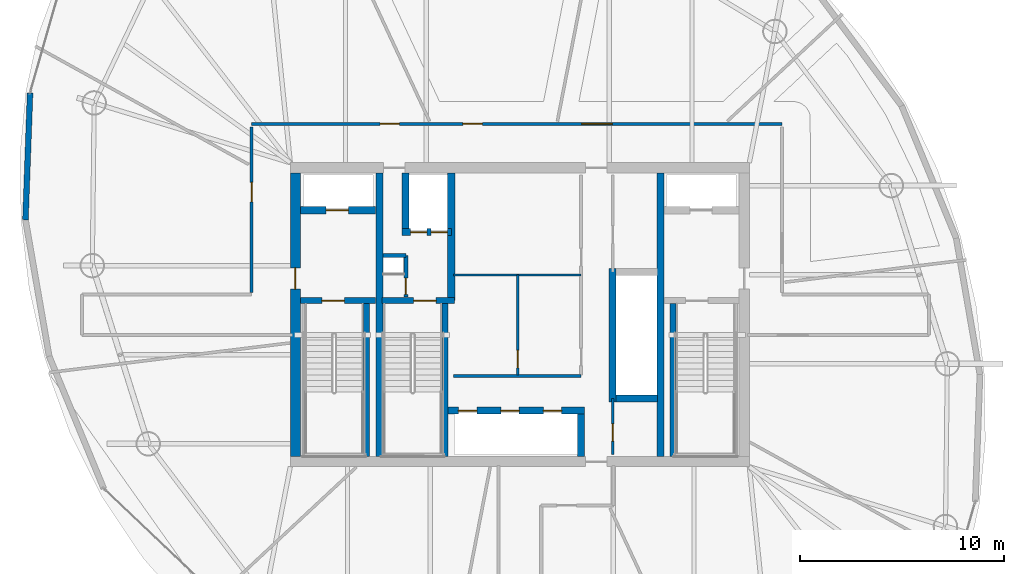
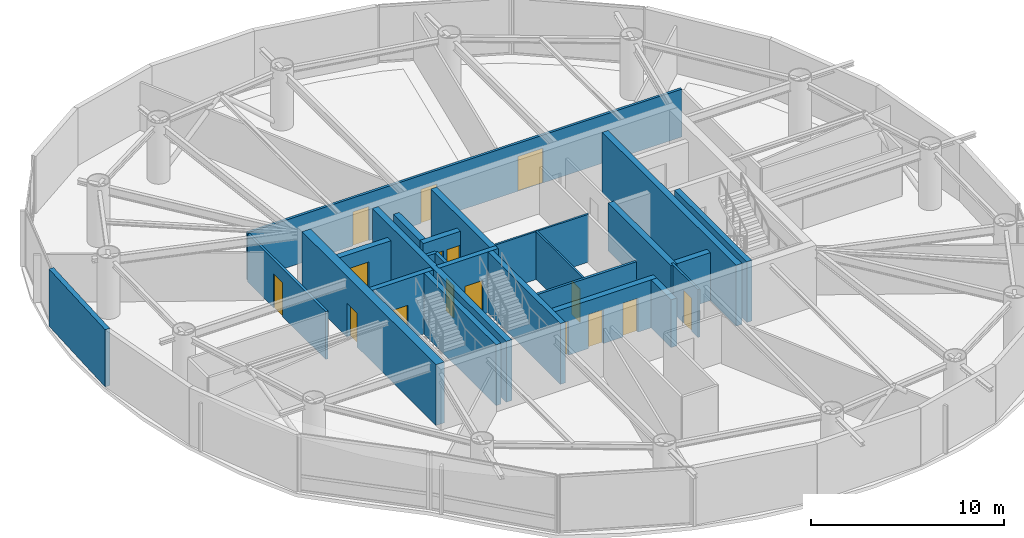
# One storey, part 16 of 22: 25 walls, 16 doors, 16 openings.
"""IFC4 building model written with IfcOpenShell, lengths in metres."""

from ifc_helpers import new_model, si_unit, direction, frame, frame_2d, origin, place, context, subcontext, project, spatial, rectangle, extrude, material, layer, layer_set, type_object, element, fill, save


model = new_model("IFC4")

# Units and contexts
model_context = context("Model", 3, precision=1e-05, world=origin(), true_north=direction((0.0, 1.0)))
body_context = subcontext(model_context, "Body", "Model", "MODEL_VIEW")
ifc_project = project(units=[si_unit("LENGTHUNIT", "METRE"), si_unit("AREAUNIT", "SQUARE_METRE"), si_unit("VOLUMEUNIT", "CUBIC_METRE"), si_unit("PLANEANGLEUNIT", "RADIAN"), si_unit("MASSUNIT", "GRAM", prefix="KILO")], contexts=[model_context])

# Site, building, storey
site_placement = place(None, origin())
site = spatial("IfcSite", under=ifc_project, at=site_placement, CompositionType="ELEMENT")
building_placement = place(site_placement, origin())
building = spatial("IfcBuilding", under=site, at=building_placement, Name="Bramvorn Convention Spire", CompositionType="ELEMENT")
storey_placement = place(building_placement, frame((0.0, 0.0, 213.550048828125)))
storey = spatial("IfcBuildingStorey", under=building, at=storey_placement, Name="L54", CompositionType="ELEMENT", Elevation=213.550048828125)

# Wall, opening, door
ifc_material_1 = material(Name="Concrete C50/60", Category="concrete")
ifc_layer_1 = layer(ifc_material_1, 0.5)
ifc_layer_set_1 = layer_set([ifc_layer_1], Name="Concrete C50/60 - WL-CORE-500")
wall_type_1 = type_object("IfcWallType", Name="WL-CORE-500", PredefinedType="SHEAR", material=ifc_layer_set_1)
wall_1_placement = place(storey_placement, frame((27.0, 19.050048828125, 0.0), z_axis=(0.0, 0.0, 1.0), x_axis=(0.0, 1.0, 0.0)))
wall_1 = element("IfcWall", 1, at=wall_1_placement, inside=storey, type_object=wall_type_1, Name="L54 West RC core shear wall", PredefinedType="SHEAR", context=body_context, shape_type="SweptSolid", body=[
    extrude(rectangle(XDim=13.89990234375, YDim=0.5, at=frame_2d((6.949951171875, 0.0))), origin(), (0.0, 0.0, 1.0), 3.849853515625),
])
opening_1_placement = place(wall_1_placement, frame((8.199951171875, 0.0, 0.0)))
opening_1 = element("IfcOpeningElement", 2, at=opening_1_placement, cuts=wall_1, Name="Opening DL-105", PredefinedType="OPENING", context=body_context, shape_type="SweptSolid", body=[
    extrude(rectangle(XDim=1.050048828125, YDim=2.14990234375, at=frame_2d((0.52490234375, 1.074951171875))), frame((0.0, 0.260009765625, 0.0), z_axis=(0.0, -1.0, 0.0), x_axis=(1.0, 0.0, 0.0)), (0.0, 0.0, 1.0), 0.52001953125),
])
ifc_material_2 = material(Name="Smoke-Sealed Fire Lobby Timber-Core Door", Category="wood")
door_type_1 = type_object("IfcDoorType", Name="DR-LOBBY-1050", OperationType="NOTDEFINED", PredefinedType="DOOR", material=ifc_material_2)
door_1_placement = place(opening_1_placement, origin())
door_1 = element("IfcDoor", 3, at=door_1_placement, inside=storey, type_object=door_type_1, Name="L54 West Firefighting Lobby corridor door", OperationType="SINGLE_SWING_RIGHT", OverallHeight=2.14990234375, OverallWidth=1.050048828125, PredefinedType="DOOR", context=body_context, shape_type="SweptSolid", body=[
    extrude(rectangle(XDim=1.050048828125, YDim=2.14990234375, at=frame_2d((0.52490234375, 1.074951171875))), frame((0.0, 0.02490234375, 0.0), z_axis=(0.0, -1.0, 0.0), x_axis=(1.0, 0.0, 0.0)), (0.0, 0.0, 1.0), 0.050048828125),
])
fill(opening_1, door_1)

# Walls
ifc_layer_2 = layer(ifc_material_1, 0.35009765625)
ifc_layer_set_2 = layer_set([ifc_layer_2], Name="Concrete C50/60 - WL-CORE-INT-350")
wall_type_2 = type_object("IfcWallType", Name="WL-CORE-INT-350", PredefinedType="SHEAR", material=ifc_layer_set_2)
for number, where, z_axis, x_axis, name in (
    (4, (31.1298828125, 19.050048828125, 0.0), (0.0, 0.0, 1.0), (0.0, 1.0, 0.0), "L54 West internal core shear web"),
    (5, (44.89990234375, 19.050048828125, 0.0), (0.0, 0.0, 1.0), (0.0, 1.0, 0.0), "L54 East internal core shear web"),
):
    element("IfcWall", number, at=place(storey_placement, frame(where, z_axis=z_axis, x_axis=x_axis)), inside=storey, type_object=wall_type_2, Name=name, PredefinedType="SHEAR", context=body_context, shape_type="SweptSolid", body=[
        extrude(rectangle(XDim=13.89990234375, YDim=0.35009765625, at=frame_2d((6.949951171875, 0.0))), origin(), (0.0, 0.0, 1.0), 3.849853515625),
    ])

# Wall, opening, door
wall_2_placement = place(storey_placement, frame((27.25, 31.1201171875, 0.0), z_axis=(0.0, 0.0, 1.0), x_axis=(1.0, 0.0, 0.0)))
wall_2 = element("IfcWall", 6, at=wall_2_placement, inside=storey, type_object=wall_type_2, Name="L54 FE1 shaft front wall", PredefinedType="SHEAR", context=body_context, shape_type="SweptSolid", body=[
    extrude(rectangle(XDim=3.669921875, YDim=0.35009765625, at=frame_2d((1.8349609375, 0.0))), origin(), (0.0, 0.0, 1.0), 3.034912109375),
])
opening_2_placement = place(wall_2_placement, frame((1.25, 0.0, 0.0)))
opening_2 = element("IfcOpeningElement", 7, at=opening_2_placement, cuts=wall_2, Name="Opening LD-110", PredefinedType="OPENING", context=body_context, shape_type="SweptSolid", body=[
    extrude(rectangle(XDim=1.10009765625, YDim=2.14990234375, at=frame_2d((0.550048828125, 1.074951171875))), frame((0.0, 0.18505859375, 0.0), z_axis=(0.0, -1.0, 0.0), x_axis=(1.0, 0.0, 0.0)), (0.0, 0.0, 1.0), 0.3701171875),
])
ifc_material_3 = material(Name="Firefighting & Service Lift Sliding Landing Door", Category="steel")
door_type_2 = type_object("IfcDoorType", Name="DR-LIFT-LD-1100", OperationType="NOTDEFINED", PredefinedType="DOOR", material=ifc_material_3)
door_2_placement = place(opening_2_placement, origin())
door_2 = element("IfcDoor", 8, at=door_2_placement, inside=storey, type_object=door_type_2, Name="L54 Lift FE1 Sliding Landing Door", OperationType="SLIDING_TO_LEFT", OverallHeight=2.14990234375, OverallWidth=1.10009765625, PredefinedType="DOOR", context=body_context, shape_type="SweptSolid", body=[
    extrude(rectangle(XDim=1.10009765625, YDim=2.14990234375, at=frame_2d((0.550048828125, 1.074951171875))), frame((0.0, 0.02490234375, 0.0), z_axis=(0.0, -1.0, 0.0), x_axis=(1.0, 0.0, 0.0)), (0.0, 0.0, 1.0), 0.050048828125),
])
fill(opening_2, door_2)

# Wall
wall_3_placement = place(storey_placement, frame((34.639892578125, 26.68994140625, 0.0), z_axis=(0.0, 0.0, 1.0), x_axis=(0.0, 1.0, 0.0)))
element("IfcWall", 9, at=wall_3_placement, inside=storey, type_object=wall_type_2, Name="L54 SV east core shaft wall", PredefinedType="SHEAR", context=body_context, shape_type="SweptSolid", body=[
    extrude(rectangle(XDim=6.260009765625, YDim=0.35009765625, at=frame_2d((3.1298828125, 0.0))), origin(), (0.0, 0.0, 1.0), 3.849853515625),
])

# Wall, openings, doors
wall_4_placement = place(storey_placement, frame((32.22998046875, 30.050048828125, 0.0), z_axis=(0.0, 0.0, 1.0), x_axis=(1.0, 0.0, 0.0)))
wall_4 = element("IfcWall", 10, at=wall_4_placement, inside=storey, type_object=wall_type_2, Name="L54 SV1/SV2 shaft front wall", PredefinedType="SHEAR", context=body_context, shape_type="SweptSolid", body=[
    extrude(rectangle(XDim=2.409912109375, YDim=0.35009765625, at=frame_2d((1.205078125, 0.0))), origin(), (0.0, 0.0, 1.0), 3.034912109375),
])
opening_3_placement = place(wall_4_placement, frame((0.419921875, 0.0, 0.0)))
opening_3 = element("IfcOpeningElement", 11, at=opening_3_placement, cuts=wall_4, Name="Opening LD-080", PredefinedType="OPENING", context=body_context, shape_type="SweptSolid", body=[
    extrude(rectangle(XDim=0.800048828125, YDim=2.14990234375, at=frame_2d((0.39990234375, 1.074951171875))), frame((0.0, 0.18505859375, 0.0), z_axis=(0.0, -1.0, 0.0), x_axis=(1.0, 0.0, 0.0)), (0.0, 0.0, 1.0), 0.3701171875),
])
opening_4_placement = place(wall_4_placement, frame((1.419921875, 0.0, 0.0)))
opening_4 = element("IfcOpeningElement", 12, at=opening_4_placement, cuts=wall_4, Name="Opening LD-080", PredefinedType="OPENING", context=body_context, shape_type="SweptSolid", body=[
    extrude(rectangle(XDim=0.800048828125, YDim=2.14990234375, at=frame_2d((0.39990234375, 1.074951171875))), frame((0.0, 0.18505859375, 0.0), z_axis=(0.0, -1.0, 0.0), x_axis=(1.0, 0.0, 0.0)), (0.0, 0.0, 1.0), 0.3701171875),
])
ifc_material_4 = material(Name="Service Lift Bi-Parting Landing Door", Category="steel")
door_type_3 = type_object("IfcDoorType", Name="DR-LIFT-LD-800", OperationType="NOTDEFINED", PredefinedType="DOOR", material=ifc_material_4)
door_3_placement = place(opening_3_placement, origin())
door_3 = element("IfcDoor", 13, at=door_3_placement, inside=storey, type_object=door_type_3, Name="L54 Lift SV1 Sliding Landing Door", OperationType="SLIDING_TO_LEFT", OverallHeight=2.14990234375, OverallWidth=0.800048828125, PredefinedType="DOOR", context=body_context, shape_type="SweptSolid", body=[
    extrude(rectangle(XDim=0.800048828125, YDim=2.14990234375, at=frame_2d((0.39990234375, 1.074951171875))), frame((0.0, 0.02490234375, 0.0), z_axis=(0.0, -1.0, 0.0), x_axis=(1.0, 0.0, 0.0)), (0.0, 0.0, 1.0), 0.050048828125),
])
fill(opening_3, door_3)
door_4_placement = place(opening_4_placement, origin())
door_4 = element("IfcDoor", 14, at=door_4_placement, inside=storey, type_object=door_type_3, Name="L54 Lift SV2 Sliding Landing Door", OperationType="SLIDING_TO_LEFT", OverallHeight=2.14990234375, OverallWidth=0.800048828125, PredefinedType="DOOR", context=body_context, shape_type="SweptSolid", body=[
    extrude(rectangle(XDim=0.800048828125, YDim=2.14990234375, at=frame_2d((0.39990234375, 1.074951171875))), frame((0.0, 0.02490234375, 0.0), z_axis=(0.0, -1.0, 0.0), x_axis=(1.0, 0.0, 0.0)), (0.0, 0.0, 1.0), 0.050048828125),
])
fill(opening_4, door_4)

# Walls
wall_5_placement = place(storey_placement, frame((32.39990234375, 30.219970703125, 0.0), z_axis=(0.0, 0.0, 1.0), x_axis=(0.0, 1.0, 0.0)))
element("IfcWall", 15, at=wall_5_placement, inside=storey, type_object=wall_type_2, Name="L54 SV1 west hoistway wall", PredefinedType="SHEAR", context=body_context, shape_type="SweptSolid", body=[
    extrude(rectangle(XDim=2.72998046875, YDim=0.35009765625, at=frame_2d((1.364990234375, 0.0))), origin(), (0.0, 0.0, 1.0), 3.034912109375),
])
wall_6_placement = place(storey_placement, frame((42.550048828125, 21.72998046875, 0.0), z_axis=(0.0, 0.0, 1.0), x_axis=(0.0, 1.0, 0.0)))
element("IfcWall", 16, at=wall_6_placement, inside=storey, type_object=wall_type_2, Name="L54 High-rise lift bank west wall", PredefinedType="SHEAR", context=body_context, shape_type="SweptSolid", body=[
    extrude(rectangle(XDim=6.5400390625, YDim=0.35009765625, at=frame_2d((3.27001953125, 0.0))), origin(), (0.0, 0.0, 1.0), 3.034912109375),
])
wall_7_placement = place(storey_placement, frame((42.719970703125, 21.89990234375, 0.0), z_axis=(0.0, 0.0, 1.0), x_axis=(1.0, 0.0, 0.0)))
element("IfcWall", 17, at=wall_7_placement, inside=storey, type_object=wall_type_2, Name="L54 High-rise lift bank south wall", PredefinedType="SHEAR", context=body_context, shape_type="SweptSolid", body=[
    extrude(rectangle(XDim=2.030029296875, YDim=0.35009765625, at=frame_2d((1.01513671875, 0.0))), origin(), (0.0, 0.0, 1.0), 3.034912109375),
])

# Wall, openings, doors
wall_8_placement = place(storey_placement, frame((34.489990234375, 21.300048828125, 0.0), z_axis=(0.0, 0.0, 1.0), x_axis=(1.0, 0.0, 0.0)))
wall_8 = element("IfcWall", 18, at=wall_8_placement, inside=storey, type_object=wall_type_2, Name="L54 Mid-rise bank north landing wall", PredefinedType="SHEAR", context=body_context, shape_type="SweptSolid", body=[
    extrude(rectangle(XDim=6.679931640625, YDim=0.35009765625, at=frame_2d((3.33984375, 0.0))), origin(), (0.0, 0.0, 1.0), 3.034912109375),
])
opening_5_placement = place(wall_8_placement, frame((0.5, 0.0, 0.0)))
opening_5 = element("IfcOpeningElement", 19, at=opening_5_placement, cuts=wall_8, Name="Opening LD-090", PredefinedType="OPENING", context=body_context, shape_type="SweptSolid", body=[
    extrude(rectangle(XDim=0.89990234375, YDim=2.14990234375, at=frame_2d((0.449951171875, 1.074951171875))), frame((0.0, 0.18505859375, 0.0), z_axis=(0.0, -1.0, 0.0), x_axis=(1.0, 0.0, 0.0)), (0.0, 0.0, 1.0), 0.3701171875),
])
opening_6_placement = place(wall_8_placement, frame((2.580078125, 0.0, 0.0)))
opening_6 = element("IfcOpeningElement", 20, at=opening_6_placement, cuts=wall_8, Name="Opening LD-090", PredefinedType="OPENING", context=body_context, shape_type="SweptSolid", body=[
    extrude(rectangle(XDim=0.89990234375, YDim=2.14990234375, at=frame_2d((0.449951171875, 1.074951171875))), frame((0.0, 0.18505859375, 0.0), z_axis=(0.0, -1.0, 0.0), x_axis=(1.0, 0.0, 0.0)), (0.0, 0.0, 1.0), 0.3701171875),
])
opening_7_placement = place(wall_8_placement, frame((4.659912109375, 0.0, 0.0)))
opening_7 = element("IfcOpeningElement", 21, at=opening_7_placement, cuts=wall_8, Name="Opening LD-090", PredefinedType="OPENING", context=body_context, shape_type="SweptSolid", body=[
    extrude(rectangle(XDim=0.89990234375, YDim=2.14990234375, at=frame_2d((0.449951171875, 1.074951171875))), frame((0.0, 0.18505859375, 0.0), z_axis=(0.0, -1.0, 0.0), x_axis=(1.0, 0.0, 0.0)), (0.0, 0.0, 1.0), 0.3701171875),
])
ifc_material_5 = material(Name="Bi-Parting Fire-Rated Lift Landing Door", Category="steel")
door_type_4 = type_object("IfcDoorType", Name="DR-LIFT-LD-900", OperationType="NOTDEFINED", PredefinedType="DOOR", material=ifc_material_5)
door_5_placement = place(opening_5_placement, origin())
door_5 = element("IfcDoor", 22, at=door_5_placement, inside=storey, type_object=door_type_4, Name="L54 Lift PM1 Sliding Landing Door", OperationType="SLIDING_TO_LEFT", OverallHeight=2.14990234375, OverallWidth=0.89990234375, PredefinedType="DOOR", context=body_context, shape_type="SweptSolid", body=[
    extrude(rectangle(XDim=0.89990234375, YDim=2.14990234375, at=frame_2d((0.449951171875, 1.074951171875))), frame((0.0, 0.02490234375, 0.0), z_axis=(0.0, -1.0, 0.0), x_axis=(1.0, 0.0, 0.0)), (0.0, 0.0, 1.0), 0.050048828125),
])
fill(opening_5, door_5)
door_6_placement = place(opening_6_placement, origin())
door_6 = element("IfcDoor", 23, at=door_6_placement, inside=storey, type_object=door_type_4, Name="L54 Lift PM2 Sliding Landing Door", OperationType="SLIDING_TO_LEFT", OverallHeight=2.14990234375, OverallWidth=0.89990234375, PredefinedType="DOOR", context=body_context, shape_type="SweptSolid", body=[
    extrude(rectangle(XDim=0.89990234375, YDim=2.14990234375, at=frame_2d((0.449951171875, 1.074951171875))), frame((0.0, 0.02490234375, 0.0), z_axis=(0.0, -1.0, 0.0), x_axis=(1.0, 0.0, 0.0)), (0.0, 0.0, 1.0), 0.050048828125),
])
fill(opening_6, door_6)
door_7_placement = place(opening_7_placement, origin())
door_7 = element("IfcDoor", 24, at=door_7_placement, inside=storey, type_object=door_type_4, Name="L54 Lift PM3 Sliding Landing Door", OperationType="SLIDING_TO_LEFT", OverallHeight=2.14990234375, OverallWidth=0.89990234375, PredefinedType="DOOR", context=body_context, shape_type="SweptSolid", body=[
    extrude(rectangle(XDim=0.89990234375, YDim=2.14990234375, at=frame_2d((0.449951171875, 1.074951171875))), frame((0.0, 0.02490234375, 0.0), z_axis=(0.0, -1.0, 0.0), x_axis=(1.0, 0.0, 0.0)), (0.0, 0.0, 1.0), 0.050048828125),
])
fill(opening_7, door_7)

# Walls
wall_9_placement = place(storey_placement, frame((41.0, 19.050048828125, 0.0), z_axis=(0.0, 0.0, 1.0), x_axis=(0.0, 1.0, 0.0)))
element("IfcWall", 25, at=wall_9_placement, inside=storey, type_object=wall_type_2, Name="L54 Mid-rise bank east cheek wall", PredefinedType="SHEAR", context=body_context, shape_type="SweptSolid", body=[
    extrude(rectangle(XDim=2.079833984375, YDim=0.35009765625, at=frame_2d((1.0400390625, 0.0))), origin(), (0.0, 0.0, 1.0), 3.034912109375),
])
ifc_material_6 = material(Name="Precast Concrete C40/50 with Bronze Terracotta Rainscreen", Category="masonry")
ifc_layer_3 = layer(ifc_material_6, 0.300048828125)
ifc_layer_set_3 = layer_set([ifc_layer_3], Name="Precast Concrete C40/50 with Bronze Terracotta Rainscreen - WL-EXT-BRONZE-300")
wall_type_3 = type_object("IfcWallType", Name="WL-EXT-BRONZE-300", PredefinedType="SOLIDWALL", material=ifc_layer_set_3)
wall_10_placement = place(storey_placement, frame((13.768798828125, 30.652587890625, 0.0), z_axis=(0.0, 0.0, 1.0), x_axis=(0.036270554674, 0.999342006954, 0.0)))
element("IfcWall", 26, at=wall_10_placement, inside=storey, type_object=wall_type_3, Name="L54 expressed bronze Gothic lancet pier wall 15", PredefinedType="SOLIDWALL", context=body_context, shape_type="SweptSolid", body=[
    extrude(rectangle(XDim=6.226318359375, YDim=0.280029296875, at=frame_2d((3.11328125, 0.0))), origin(), (0.0, 0.0, 1.0), 3.619873046875),
])
ifc_material_7 = material(Name="Lightweight En-Suite & Wet-Wall Partition", Category="gypsum")
ifc_layer_4 = layer(ifc_material_7, 0.110107421875)
ifc_layer_set_4 = layer_set([ifc_layer_4], Name="Lightweight En-Suite & Wet-Wall Partition - WL-PART-110")
wall_type_4 = type_object("IfcWallType", Name="WL-PART-110", PredefinedType="PARTITIONING", material=ifc_layer_set_4)
wall_11_placement = place(storey_placement, frame((34.75, 27.949951171875, 0.0), z_axis=(0.0, 0.0, 1.0), x_axis=(1.0, 0.0, 0.0)))
element("IfcWall", 27, at=wall_11_placement, inside=storey, type_object=wall_type_4, Name="L54 KA horizontal core divider", PredefinedType="PARTITIONING", context=body_context, shape_type="SweptSolid", body=[
    extrude(rectangle(XDim=6.25, YDim=0.110107421875, at=frame_2d((3.125, 0.0))), origin(), (0.0, 0.0, 1.0), 3.034912109375),
])

# Wall, opening, door
wall_12_placement = place(storey_placement, frame((37.89990234375, 23.050048828125, 0.0), z_axis=(0.0, 0.0, 1.0), x_axis=(0.0, 1.0, 0.0)))
wall_12 = element("IfcWall", 28, at=wall_12_placement, inside=storey, type_object=wall_type_4, Name="L54 KA restroom subwall", PredefinedType="PARTITIONING", context=body_context, shape_type="SweptSolid", body=[
    extrude(rectangle(XDim=4.89990234375, YDim=0.110107421875, at=frame_2d((2.449951171875, 0.0))), origin(), (0.0, 0.0, 1.0), 3.034912109375),
])
opening_8_placement = place(wall_12_placement, frame((0.35009765625, 0.0, 0.0)))
opening_8 = element("IfcOpeningElement", 29, at=opening_8_placement, cuts=wall_12, Name="Opening DC-085", PredefinedType="OPENING", context=body_context, shape_type="SweptSolid", body=[
    extrude(rectangle(XDim=0.85009765625, YDim=2.10009765625, at=frame_2d((0.425048828125, 1.050048828125))), frame((0.0, 0.06494140625, 0.0), z_axis=(0.0, -1.0, 0.0), x_axis=(1.0, 0.0, 0.0)), (0.0, 0.0, 1.0), 0.130126953125),
])
ifc_material_8 = material(Name="Fire-Rated Core Washroom & IDF Door", Category="wood")
door_type_5 = type_object("IfcDoorType", Name="DR-CORE-850", OperationType="NOTDEFINED", PredefinedType="DOOR", material=ifc_material_8)
door_8_placement = place(opening_8_placement, origin())
door_8 = element("IfcDoor", 30, at=door_8_placement, inside=storey, type_object=door_type_5, Name="L54 Core IT Closet door", OperationType="SINGLE_SWING_LEFT", OverallHeight=2.10009765625, OverallWidth=0.85009765625, PredefinedType="DOOR", context=body_context, shape_type="SweptSolid", body=[
    extrude(rectangle(XDim=0.85009765625, YDim=2.10009765625, at=frame_2d((0.425048828125, 1.050048828125))), frame((0.0, 0.02490234375, 0.0), z_axis=(0.0, -1.0, 0.0), x_axis=(1.0, 0.0, 0.0)), (0.0, 0.0, 1.0), 0.050048828125),
])
fill(opening_8, door_8)

ifc_material_9 = material(Name="Metal-Stud Demountable Office Partition", Category="gypsum")
ifc_layer_5 = layer(ifc_material_9, 0.1298828125)
ifc_layer_set_5 = layer_set([ifc_layer_5], Name="Metal-Stud Demountable Office Partition - WL-PART-130")
wall_type_5 = type_object("IfcWallType", Name="WL-PART-130", PredefinedType="PARTITIONING", material=ifc_layer_set_5)
wall_13_placement = place(storey_placement, frame((42.550048828125, 19.14990234375, 0.0), z_axis=(0.0, 0.0, 1.0), x_axis=(0.0, 1.0, 0.0)))
wall_13 = element("IfcWall", 31, at=wall_13_placement, inside=storey, type_object=wall_type_5, Name="L54 KA SE store wall", PredefinedType="PARTITIONING", context=body_context, shape_type="SweptSolid", body=[
    extrude(rectangle(XDim=2.75, YDim=0.1298828125, at=frame_2d((1.375, 0.0))), origin(), (0.0, 0.0, 1.0), 3.034912109375),
])
opening_9_placement = place(wall_13_placement, frame((0.64990234375, 0.0, 0.0)))
opening_9 = element("IfcOpeningElement", 32, at=opening_9_placement, cuts=wall_13, Name="Opening DC-085", PredefinedType="OPENING", context=body_context, shape_type="SweptSolid", body=[
    extrude(rectangle(XDim=0.85009765625, YDim=2.10009765625, at=frame_2d((0.425048828125, 1.050048828125))), frame((0.0, 0.074951171875, 0.0), z_axis=(0.0, -1.0, 0.0), x_axis=(1.0, 0.0, 0.0)), (0.0, 0.0, 1.0), 0.14990234375),
])
door_9_placement = place(opening_9_placement, origin())
door_9 = element("IfcDoor", 33, at=door_9_placement, inside=storey, type_object=door_type_5, Name="L54 Tenant Pantry & Copy Centre door", OperationType="SINGLE_SWING_LEFT", OverallHeight=2.10009765625, OverallWidth=0.85009765625, PredefinedType="DOOR", context=body_context, shape_type="SweptSolid", body=[
    extrude(rectangle(XDim=0.85009765625, YDim=2.10009765625, at=frame_2d((0.425048828125, 1.050048828125))), frame((0.0, 0.02490234375, 0.0), z_axis=(0.0, -1.0, 0.0), x_axis=(1.0, 0.0, 0.0)), (0.0, 0.0, 1.0), 0.050048828125),
])
fill(opening_9, door_9)

# Wall
ifc_material_10 = material(Name="Acoustic Metal-Stud Tenant/Corridor Partition", Category="gypsum")
ifc_layer_6 = layer(ifc_material_10, 0.14990234375)
ifc_layer_set_6 = layer_set([ifc_layer_6], Name="Acoustic Metal-Stud Tenant/Corridor Partition - WL-PART-150")
wall_type_6 = type_object("IfcWallType", Name="WL-PART-150", PredefinedType="PARTITIONING", material=ifc_layer_set_6)
wall_14_placement = place(storey_placement, frame((34.75, 23.0, 0.0), z_axis=(0.0, 0.0, 1.0), x_axis=(1.0, 0.0, 0.0)))
element("IfcWall", 34, at=wall_14_placement, inside=storey, type_object=wall_type_6, Name="L54 Mid-rise lift vestibule north wall", PredefinedType="PARTITIONING", context=body_context, shape_type="SweptSolid", body=[
    extrude(rectangle(XDim=6.25, YDim=0.14990234375, at=frame_2d((3.125, 0.0))), origin(), (0.0, 0.0, 1.0), 3.034912109375),
])

# Wall, openings, doors
wall_15_placement = place(storey_placement, frame((24.85009765625, 35.35009765625, 0.0), z_axis=(0.0, 0.0, 1.0), x_axis=(1.0, 0.0, 0.0)))
wall_15 = element("IfcWall", 35, at=wall_15_placement, inside=storey, type_object=wall_type_6, Name="L54 North gallery wall", PredefinedType="PARTITIONING", context=body_context, shape_type="SweptSolid", body=[
    extrude(rectangle(XDim=26.0, YDim=0.14990234375, at=frame_2d((13.0, 0.0))), origin(), (0.0, 0.0, 1.0), 3.034912109375),
])
opening_10_placement = place(wall_15_placement, frame((16.18212890625, 0.0, 0.0)))
opening_10 = element("IfcOpeningElement", 36, at=opening_10_placement, cuts=wall_15, Name="Opening DC-150", PredefinedType="OPENING", context=body_context, shape_type="SweptSolid", body=[
    extrude(rectangle(XDim=1.5, YDim=2.199951171875, at=frame_2d((0.75, 1.10009765625))), frame((0.0, 0.0849609375, 0.0), z_axis=(0.0, -1.0, 0.0), x_axis=(1.0, 0.0, 0.0)), (0.0, 0.0, 1.0), 0.169921875),
])
opening_11_placement = place(wall_15_placement, frame((10.359619140625, 0.0, 0.0)))
opening_11 = element("IfcOpeningElement", 37, at=opening_11_placement, cuts=wall_15, Name="Opening DH-095", PredefinedType="OPENING", context=body_context, shape_type="SweptSolid", body=[
    extrude(rectangle(XDim=0.949951171875, YDim=2.14990234375, at=frame_2d((0.47509765625, 1.074951171875))), frame((0.0, 0.0849609375, 0.0), z_axis=(0.0, -1.0, 0.0), x_axis=(1.0, 0.0, 0.0)), (0.0, 0.0, 1.0), 0.169921875),
])
opening_12_placement = place(wall_15_placement, frame((6.2978515625, 0.0, 0.0)))
opening_12 = element("IfcOpeningElement", 38, at=opening_12_placement, cuts=wall_15, Name="Opening DH-095", PredefinedType="OPENING", context=body_context, shape_type="SweptSolid", body=[
    extrude(rectangle(XDim=0.949951171875, YDim=2.14990234375, at=frame_2d((0.47509765625, 1.074951171875))), frame((0.0, 0.0849609375, 0.0), z_axis=(0.0, -1.0, 0.0), x_axis=(1.0, 0.0, 0.0)), (0.0, 0.0, 1.0), 0.169921875),
])
ifc_material_11 = material(Name="Double-Leaf Smoke-Control Corridor Door", Category="wood")
door_type_6 = type_object("IfcDoorType", Name="DR-COR-1500", OperationType="NOTDEFINED", PredefinedType="DOOR", material=ifc_material_11)
door_10_placement = place(opening_10_placement, origin())
door_10 = element("IfcDoor", 39, at=door_10_placement, inside=storey, type_object=door_type_6, Name="L54 Design Office Studio B 2 door", OperationType="DOUBLE_DOOR_SINGLE_SWING", OverallHeight=2.199951171875, OverallWidth=1.5, PredefinedType="DOOR", context=body_context, shape_type="SweptSolid", body=[
    extrude(rectangle(XDim=1.5, YDim=2.199951171875, at=frame_2d((0.75, 1.10009765625))), frame((0.0, 0.02490234375, 0.0), z_axis=(0.0, -1.0, 0.0), x_axis=(1.0, 0.0, 0.0)), (0.0, 0.0, 1.0), 0.050048828125),
])
fill(opening_10, door_10)
ifc_material_12 = material(Name="Solid-Core Acoustic Guestroom Entry Door", Category="wood")
door_type_7 = type_object("IfcDoorType", Name="DR-HOTEL-950", OperationType="NOTDEFINED", PredefinedType="DOOR", material=ifc_material_12)
door_11_placement = place(opening_11_placement, origin())
door_11 = element("IfcDoor", 40, at=door_11_placement, inside=storey, type_object=door_type_7, Name="L54 Client Meeting Pin-Up Room 1 3 door", OperationType="SINGLE_SWING_LEFT", OverallHeight=2.14990234375, OverallWidth=0.949951171875, PredefinedType="DOOR", context=body_context, shape_type="SweptSolid", body=[
    extrude(rectangle(XDim=0.949951171875, YDim=2.14990234375, at=frame_2d((0.47509765625, 1.074951171875))), frame((0.0, 0.02490234375, 0.0), z_axis=(0.0, -1.0, 0.0), x_axis=(1.0, 0.0, 0.0)), (0.0, 0.0, 1.0), 0.050048828125),
])
fill(opening_11, door_11)
door_12_placement = place(opening_12_placement, origin())
door_12 = element("IfcDoor", 41, at=door_12_placement, inside=storey, type_object=door_type_7, Name="L54 Client Meeting Pin-Up Room 2 4 door", OperationType="SINGLE_SWING_LEFT", OverallHeight=2.14990234375, OverallWidth=0.949951171875, PredefinedType="DOOR", context=body_context, shape_type="SweptSolid", body=[
    extrude(rectangle(XDim=0.949951171875, YDim=2.14990234375, at=frame_2d((0.47509765625, 1.074951171875))), frame((0.0, 0.02490234375, 0.0), z_axis=(0.0, -1.0, 0.0), x_axis=(1.0, 0.0, 0.0)), (0.0, 0.0, 1.0), 0.050048828125),
])
fill(opening_12, door_12)

# Wall, opening, door
wall_16_placement = place(storey_placement, frame((24.85009765625, 27.080078125, 0.0), z_axis=(0.0, 0.0, 1.0), x_axis=(0.0, 1.0, 0.0)))
wall_16 = element("IfcWall", 42, at=wall_16_placement, inside=storey, type_object=wall_type_6, Name="L54 NW gallery cheek", PredefinedType="PARTITIONING", context=body_context, shape_type="SweptSolid", body=[
    extrude(rectangle(XDim=8.119873046875, YDim=0.14990234375, at=frame_2d((4.06005859375, 0.0))), origin(), (0.0, 0.0, 1.0), 3.034912109375),
])
opening_13_placement = place(wall_16_placement, frame((4.456298828125, 0.0, 0.0)))
opening_13 = element("IfcOpeningElement", 43, at=opening_13_placement, cuts=wall_16, Name="Opening DH-095", PredefinedType="OPENING", context=body_context, shape_type="SweptSolid", body=[
    extrude(rectangle(XDim=0.949951171875, YDim=2.14990234375, at=frame_2d((0.47509765625, 1.074951171875))), frame((0.0, 0.0849609375, 0.0), z_axis=(0.0, -1.0, 0.0), x_axis=(1.0, 0.0, 0.0)), (0.0, 0.0, 1.0), 0.169921875),
])
door_13_placement = place(opening_13_placement, origin())
door_13 = element("IfcDoor", 44, at=door_13_placement, inside=storey, type_object=door_type_7, Name="L54 Materials Library Store 5 door", OperationType="SINGLE_SWING_LEFT", OverallHeight=2.14990234375, OverallWidth=0.949951171875, PredefinedType="DOOR", context=body_context, shape_type="SweptSolid", body=[
    extrude(rectangle(XDim=0.949951171875, YDim=2.14990234375, at=frame_2d((0.47509765625, 1.074951171875))), frame((0.0, 0.02490234375, 0.0), z_axis=(0.0, -1.0, 0.0), x_axis=(1.0, 0.0, 0.0)), (0.0, 0.0, 1.0), 0.050048828125),
])
fill(opening_13, door_13)

ifc_material_13 = material(Name="Gypsum Shaftwall & Rockwool Core Partition", Category="gypsum")
ifc_layer_7 = layer(ifc_material_13, 0.199951171875)
ifc_layer_set_7 = layer_set([ifc_layer_7], Name="Gypsum Shaftwall & Rockwool Core Partition - WL-PART-200-FR")
wall_type_7 = type_object("IfcWallType", Name="WL-PART-200-FR", PredefinedType="PARTITIONING", material=ifc_layer_set_7)
wall_17_placement = place(storey_placement, frame((32.419921875, 26.860107421875, 0.0), z_axis=(0.0, 0.0, 1.0), x_axis=(0.0, 1.0, 0.0)))
wall_17 = element("IfcWall", 45, at=wall_17_placement, inside=storey, type_object=wall_type_7, Name="L54 Telecom riser east wall", PredefinedType="PARTITIONING", context=body_context, shape_type="SweptSolid", body=[
    extrude(rectangle(XDim=2.039794921875, YDim=0.199951171875, at=frame_2d((1.02001953125, 0.0))), origin(), (0.0, 0.0, 1.0), 3.034912109375),
])
opening_14_placement = place(wall_17_placement, frame((0.139892578125, 0.0, 0.0)))
opening_14 = element("IfcOpeningElement", 46, at=opening_14_placement, cuts=wall_17, Name="Opening DR-080", PredefinedType="OPENING", context=body_context, shape_type="SweptSolid", body=[
    extrude(rectangle(XDim=0.800048828125, YDim=2.050048828125, at=frame_2d((0.39990234375, 1.02490234375))), frame((0.0, 0.10986328125, 0.0), z_axis=(0.0, -1.0, 0.0), x_axis=(1.0, 0.0, 0.0)), (0.0, 0.0, 1.0), 0.219970703125),
])
ifc_material_14 = material(Name="Flush Steel Riser Access Door", Category="steel")
door_type_8 = type_object("IfcDoorType", Name="DR-RISER-800", OperationType="NOTDEFINED", PredefinedType="DOOR", material=ifc_material_14)
door_14_placement = place(opening_14_placement, origin())
door_14 = element("IfcDoor", 47, at=door_14_placement, inside=storey, type_object=door_type_8, Name="L54 Telecom riser access door", OperationType="SINGLE_SWING_RIGHT", OverallHeight=2.050048828125, OverallWidth=0.800048828125, PredefinedType="DOOR", context=body_context, shape_type="SweptSolid", body=[
    extrude(rectangle(XDim=0.800048828125, YDim=2.050048828125, at=frame_2d((0.39990234375, 1.02490234375))), frame((0.0, 0.02490234375, 0.0), z_axis=(0.0, -1.0, 0.0), x_axis=(1.0, 0.0, 0.0)), (0.0, 0.0, 1.0), 0.050048828125),
])
fill(opening_14, door_14)

# Wall
wall_18_placement = place(storey_placement, frame((31.300048828125, 28.89990234375, 0.0), z_axis=(0.0, 0.0, 1.0), x_axis=(1.0, 0.0, 0.0)))
element("IfcWall", 48, at=wall_18_placement, inside=storey, type_object=wall_type_7, Name="L54 Telecom riser north wall", PredefinedType="PARTITIONING", context=body_context, shape_type="SweptSolid", body=[
    extrude(rectangle(XDim=1.119873046875, YDim=0.199951171875, at=frame_2d((0.56005859375, 0.0))), origin(), (0.0, 0.0, 1.0), 3.034912109375),
])

# Wall, opening, door
ifc_layer_8 = layer(ifc_material_1, 0.300048828125)
ifc_layer_set_8 = layer_set([ifc_layer_8], Name="Concrete C50/60 - WL-POD-STAIR-300")
wall_type_8 = type_object("IfcWallType", Name="WL-POD-STAIR-300", PredefinedType="SHEAR", material=ifc_layer_set_8)
wall_19_placement = place(storey_placement, frame((27.25, 26.68994140625, 0.0), z_axis=(0.0, 0.0, 1.0), x_axis=(1.0, 0.0, 0.0)))
wall_19 = element("IfcWall", 49, at=wall_19_placement, inside=storey, type_object=wall_type_8, Name="L54 ST1 north fire wall", PredefinedType="SHEAR", context=body_context, shape_type="SweptSolid", body=[
    extrude(rectangle(XDim=3.669921875, YDim=0.300048828125, at=frame_2d((1.8349609375, 0.0))), origin(), (0.0, 0.0, 1.0), 3.849853515625),
])
opening_15_placement = place(wall_19_placement, frame((1.050048828125, 0.0, 0.0)))
opening_15 = element("IfcOpeningElement", 50, at=opening_15_placement, cuts=wall_19, Name="Opening DS-110", PredefinedType="OPENING", context=body_context, shape_type="SweptSolid", body=[
    extrude(rectangle(XDim=1.10009765625, YDim=2.14990234375, at=frame_2d((0.550048828125, 1.074951171875))), frame((0.0, 0.159912109375, 0.0), z_axis=(0.0, -1.0, 0.0), x_axis=(1.0, 0.0, 0.0)), (0.0, 0.0, 1.0), 0.320068359375),
])
ifc_material_15 = material(Name="Fire-Rated Hollow Steel Stairwell Door", Category="steel")
door_type_9 = type_object("IfcDoorType", Name="DR-STAIR-1100", OperationType="NOTDEFINED", PredefinedType="DOOR", material=ifc_material_15)
door_15_placement = place(opening_15_placement, origin())
door_15 = element("IfcDoor", 51, at=door_15_placement, inside=storey, type_object=door_type_9, Name="L54 Stair ST1 fire door", OperationType="SINGLE_SWING_LEFT", OverallHeight=2.14990234375, OverallWidth=1.10009765625, PredefinedType="DOOR", context=body_context, shape_type="SweptSolid", body=[
    extrude(rectangle(XDim=1.10009765625, YDim=2.14990234375, at=frame_2d((0.550048828125, 1.074951171875))), frame((0.0, 0.02490234375, 0.0), z_axis=(0.0, -1.0, 0.0), x_axis=(1.0, 0.0, 0.0)), (0.0, 0.0, 1.0), 0.050048828125),
])
fill(opening_15, door_15)

# Walls
for number, where, z_axis, x_axis, name in (
    (52, (30.489990234375, 19.050048828125, 0.0), (0.0, 0.0, 1.0), (0.0, 1.0, 0.0), "L54 ST1 east bearing wall"),
    (53, (45.510009765625, 19.050048828125, 0.0), (0.0, 0.0, 1.0), (0.0, 1.0, 0.0), "L54 ST2 west bearing wall"),
    (54, (34.340087890625, 19.050048828125, 0.0), (0.0, 0.0, 1.0), (0.0, 1.0, 0.0), "L54 ST3 east bearing wall"),
):
    element("IfcWall", number, at=place(storey_placement, frame(where, z_axis=z_axis, x_axis=x_axis)), inside=storey, type_object=wall_type_8, Name=name, PredefinedType="SHEAR", context=body_context, shape_type="SweptSolid", body=[
        extrude(rectangle(XDim=7.5, YDim=0.300048828125, at=frame_2d((3.75, 0.0))), origin(), (0.0, 0.0, 1.0), 3.849853515625),
    ])

# Wall, opening, door
wall_20_placement = place(storey_placement, frame((31.25, 26.68994140625, 0.0), z_axis=(0.0, 0.0, 1.0), x_axis=(1.0, 0.0, 0.0)))
wall_20 = element("IfcWall", 55, at=wall_20_placement, inside=storey, type_object=wall_type_8, Name="L54 ST3 north lobby wall", PredefinedType="SHEAR", context=body_context, shape_type="SweptSolid", body=[
    extrude(rectangle(XDim=3.56005859375, YDim=0.300048828125, at=frame_2d((1.780029296875, 0.0))), origin(), (0.0, 0.0, 1.0), 3.849853515625),
])
opening_16_placement = place(wall_20_placement, frame((1.550048828125, 0.0, 0.0)))
opening_16 = element("IfcOpeningElement", 56, at=opening_16_placement, cuts=wall_20, Name="Opening DS-110", PredefinedType="OPENING", context=body_context, shape_type="SweptSolid", body=[
    extrude(rectangle(XDim=1.10009765625, YDim=2.14990234375, at=frame_2d((0.550048828125, 1.074951171875))), frame((0.0, 0.159912109375, 0.0), z_axis=(0.0, -1.0, 0.0), x_axis=(1.0, 0.0, 0.0)), (0.0, 0.0, 1.0), 0.320068359375),
])
door_16_placement = place(opening_16_placement, origin())
door_16 = element("IfcDoor", 57, at=door_16_placement, inside=storey, type_object=door_type_9, Name="L54 Stair ST3 fire door", OperationType="SINGLE_SWING_LEFT", OverallHeight=2.14990234375, OverallWidth=1.10009765625, PredefinedType="DOOR", context=body_context, shape_type="SweptSolid", body=[
    extrude(rectangle(XDim=1.10009765625, YDim=2.14990234375, at=frame_2d((0.550048828125, 1.074951171875))), frame((0.0, 0.02490234375, 0.0), z_axis=(0.0, -1.0, 0.0), x_axis=(1.0, 0.0, 0.0)), (0.0, 0.0, 1.0), 0.050048828125),
])
fill(opening_16, door_16)

save(model, "model.ifc")
